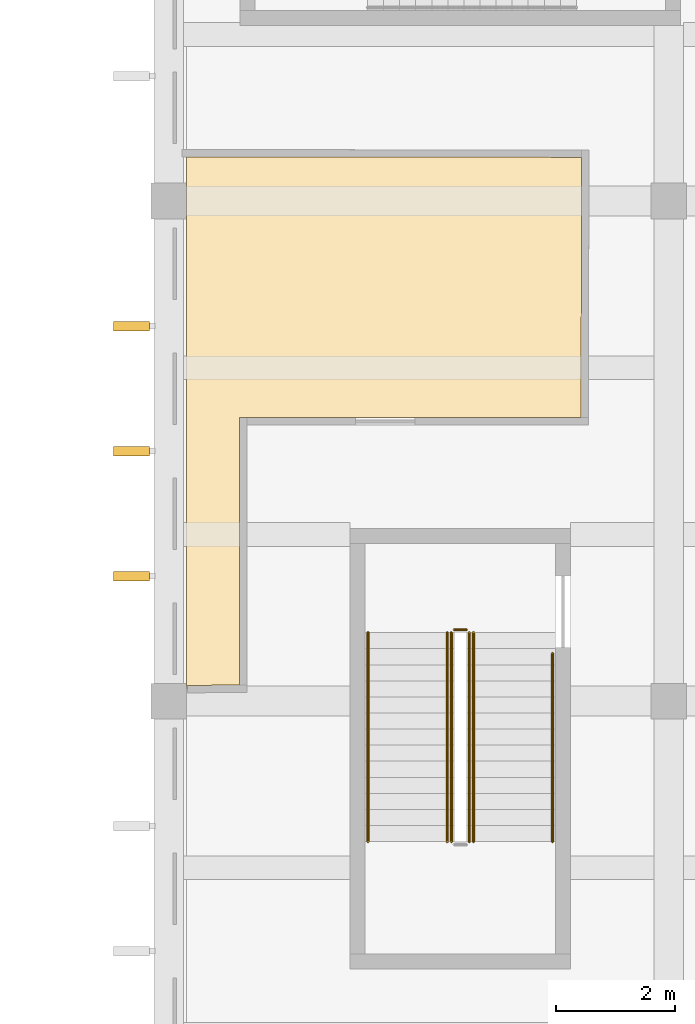
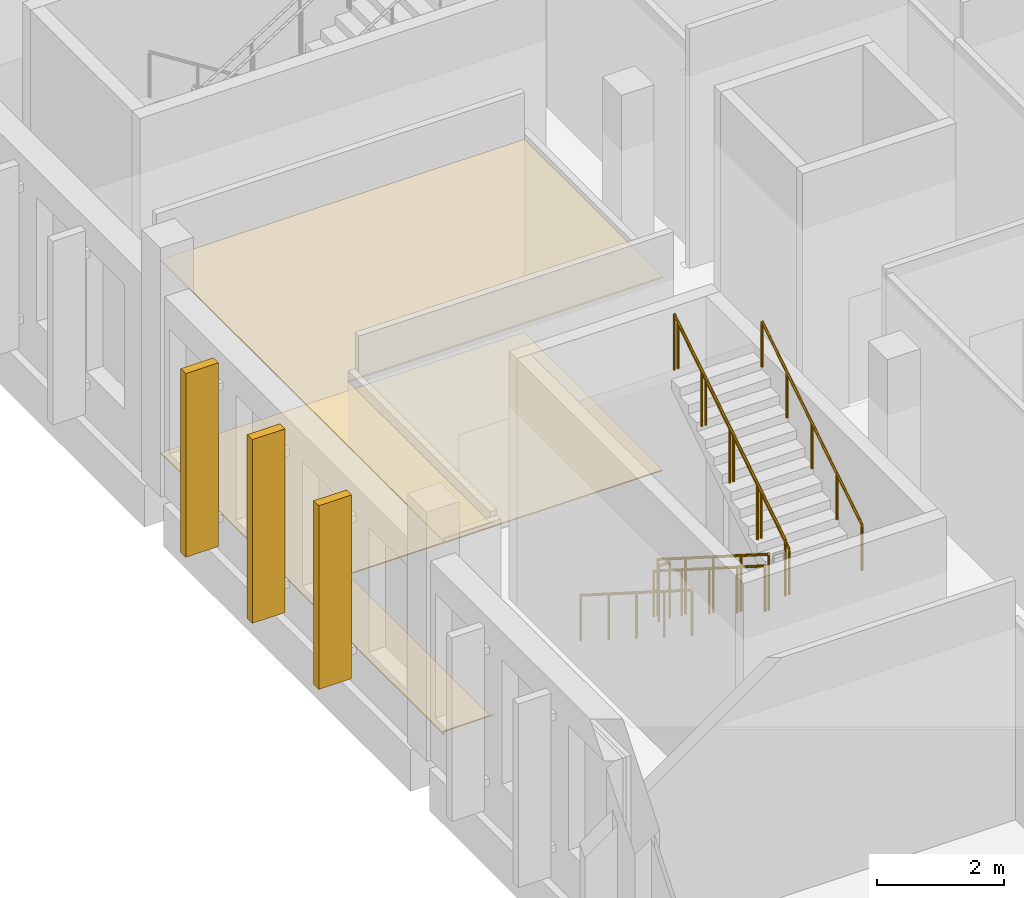
# One storey, part 95 of 119: 7 railings, 5 coverings.
"""IFC4 building model written with IfcOpenShell, lengths in metres."""

from ifc_helpers import new_model, si_unit, direction, frame, origin, origin_2d, place, context, subcontext, project, spatial, polyline, circle, outline, extrude, material, layer, layer_set, type_object, element, save


model = new_model("IFC4")

# Units and contexts
model_context = context("Model", 3, precision=1e-05, world=origin(), true_north=direction((0.0, 1.0)))
body_context = subcontext(model_context, "Body", "Model", "MODEL_VIEW")
ifc_project = project(units=[si_unit("LENGTHUNIT", "METRE"), si_unit("AREAUNIT", "SQUARE_METRE"), si_unit("VOLUMEUNIT", "CUBIC_METRE"), si_unit("PLANEANGLEUNIT", "RADIAN"), si_unit("MASSUNIT", "GRAM", prefix="KILO")], contexts=[model_context])

# Site, building, storey
site_placement = place(None, origin())
site = spatial("IfcSite", under=ifc_project, at=site_placement, CompositionType="ELEMENT")
building_placement = place(site_placement, origin())
building = spatial("IfcBuilding", under=site, at=building_placement, Name="Larchfold Concert Hall", CompositionType="ELEMENT")
storey_placement = place(building_placement, frame((0.0, 0.0, 4.800048828125)))
storey = spatial("IfcBuildingStorey", under=building, at=storey_placement, Name="L01", CompositionType="ELEMENT", Elevation=4.800048828125)

# Coverings
ifc_material_1 = material(Name="Plasterboard ceiling lining")
ifc_layer_1 = layer(ifc_material_1, 0.030029296875)
ifc_layer_set_1 = layer_set([ifc_layer_1], Name="Plasterboard ceiling lining")
covering_type_1 = type_object("IfcCoveringType", Name="Ceiling suspended plasterboard 30", PredefinedType="CEILING", material=ifc_layer_set_1)
covering_1_placement = place(storey_placement, frame((0.0, 0.0, 3.7099609375)))
element("IfcCovering", 1, at=covering_1_placement, inside=storey, type_object=covering_type_1, Name="Ceiling Conductor Suite", PredefinedType="CEILING", context=body_context, shape_type="SweptSolid", body=[
    extrude(outline(polyline([(84.919677734375, 26.062744140625), (85.849853515625, 26.071533203125), (85.78857421875, 26.071533203125), (85.78857421875, 30.5615234375), (91.529541015625, 30.5615234375), (91.533447265625, 34.935546875), (84.900146484375, 34.9375), (84.900146484375, 26.0), (84.920166015625, 26.0), (84.919677734375, 26.062744140625)])), origin(), (0.0, 0.0, 1.0), 0.030029296875),
])
ifc_material_2 = material(Name="Linoleum sheet")
ifc_layer_2 = layer(ifc_material_2, 0.02001953125)
ifc_layer_set_2 = layer_set([ifc_layer_2], Name="Linoleum sheet")
covering_type_2 = type_object("IfcCoveringType", Name="Floor finish vinyl 20", PredefinedType="FLOORING", material=ifc_layer_set_2)
covering_2_placement = place(storey_placement, origin())
element("IfcCovering", 2, at=covering_2_placement, inside=storey, type_object=covering_type_2, Name="Floor finish Conductor Suite", PredefinedType="FLOORING", context=body_context, shape_type="SweptSolid", body=[
    extrude(outline(polyline([(84.919677734375, 26.062744140625), (85.849853515625, 26.071533203125), (85.78857421875, 26.071533203125), (85.78857421875, 30.5615234375), (91.529541015625, 30.5615234375), (91.533447265625, 34.935546875), (84.900146484375, 34.9375), (84.900146484375, 26.0), (84.920166015625, 26.0), (84.919677734375, 26.062744140625)])), origin(), (0.0, 0.0, 1.0), 0.02001953125),
])
ifc_material_3 = material(Name="Glulam GL30c", Category="wood")
ifc_layer_3 = layer(ifc_material_3, 0.159912109375)
ifc_layer_set_3 = layer_set([ifc_layer_3], Name="Glulam GL30c")
covering_type_3 = type_object("IfcCoveringType", Name="Glulam fin 160x600", PredefinedType="CLADDING", material=ifc_layer_set_3)
covering_3_placement = place(storey_placement, frame((0.0, 0.0, 0.199951171875)))
element("IfcCovering", 3, at=covering_3_placement, inside=storey, type_object=covering_type_3, Name="Glulam fin FN-L01-060", PredefinedType="CLADDING", context=body_context, shape_type="SweptSolid", body=[
    extrude(outline(polyline([(84.275146484375, 27.820068359375), (84.275146484375, 27.97998046875), (83.675048828125, 27.97998046875), (83.675048828125, 27.820068359375), (84.275146484375, 27.820068359375)])), origin(), (0.0, 0.0, 1.0), 3.5400390625),
])
covering_4_placement = place(storey_placement, frame((0.0, 0.0, 0.199951171875)))
element("IfcCovering", 4, at=covering_4_placement, inside=storey, type_object=covering_type_3, Name="Glulam fin FN-L01-061", PredefinedType="CLADDING", context=body_context, shape_type="SweptSolid", body=[
    extrude(outline(polyline([(84.275146484375, 29.919921875), (84.275146484375, 30.080078125), (83.675048828125, 30.080078125), (83.675048828125, 29.919921875), (84.275146484375, 29.919921875)])), origin(), (0.0, 0.0, 1.0), 3.5400390625),
])
covering_5_placement = place(storey_placement, frame((0.0, 0.0, 0.199951171875)))
element("IfcCovering", 5, at=covering_5_placement, inside=storey, type_object=covering_type_3, Name="Glulam fin FN-L01-062", PredefinedType="CLADDING", context=body_context, shape_type="SweptSolid", body=[
    extrude(outline(polyline([(84.275146484375, 32.02001953125), (84.275146484375, 32.179931640625), (83.675048828125, 32.179931640625), (83.675048828125, 32.02001953125), (84.275146484375, 32.02001953125)])), origin(), (0.0, 0.0, 1.0), 3.5400390625),
])

# Railings
ifc_material_4 = material(Name="Stainless steel balustrade", Category="steel")
railing_type_1 = type_object("IfcRailingType", Name="Stair guard 1100", PredefinedType="GUARDRAIL", material=ifc_material_4)
railing_1_placement = place(storey_placement, frame((89.349853515625, 26.949951171875, 0.17138671875)))
element("IfcRailing", 6, at=railing_1_placement, inside=storey, type_object=railing_type_1, Name="Guard GR0055", PredefinedType="GUARDRAIL", context=body_context, shape_type="SweptSolid", body=[
    extrude(circle(Radius=0.02392578125, at=origin_2d()), frame((0.0, 0.0, 1.076171875), z_axis=(0.0, -0.844219563411, 0.53599750816), x_axis=(1.0, 0.0, 0.0)), (0.0, 0.0, 1.0), 4.15771484375),
    extrude(circle(Radius=0.02099609375, at=origin_2d()), origin(), (0.0, 0.0, 1.0), 1.052001953125),
    extrude(circle(Radius=0.02099609375, at=origin_2d()), frame((0.0, -0.87744140625, 0.55712890625)), (0.0, 0.0, 1.0), 1.052001953125),
    extrude(circle(Radius=0.02099609375, at=origin_2d()), frame((0.0, -1.7548828125, 1.1142578125)), (0.0, 0.0, 1.0), 1.052001953125),
    extrude(circle(Radius=0.02099609375, at=origin_2d()), frame((0.0, -2.632568359375, 1.67138671875)), (0.0, 0.0, 1.0), 1.052001953125),
    extrude(circle(Radius=0.02099609375, at=origin_2d()), frame((0.0, -3.510009765625, 2.228515625)), (0.0, 0.0, 1.0), 1.052001953125),
])
railing_2_placement = place(storey_placement, frame((89.64990234375, 23.43994140625, 2.5712890625)))
element("IfcRailing", 7, at=railing_2_placement, inside=storey, type_object=railing_type_1, Name="Guard GR0057", PredefinedType="GUARDRAIL", context=body_context, shape_type="SweptSolid", body=[
    extrude(circle(Radius=0.02392578125, at=origin_2d()), frame((0.0, 0.0, 1.076171875), z_axis=(0.0, 0.844192992368, 0.536039356425), x_axis=(-1.0, 0.0, 0.0)), (0.0, 0.0, 1.0), 4.15771484375),
    extrude(circle(Radius=0.02099609375, at=origin_2d()), origin(), (0.0, 0.0, 1.0), 1.052001953125),
    extrude(circle(Radius=0.02099609375, at=origin_2d()), frame((0.0, 0.87744140625, 0.55712890625)), (0.0, 0.0, 1.0), 1.052001953125),
    extrude(circle(Radius=0.02099609375, at=origin_2d()), frame((0.0, 1.7548828125, 1.1142578125)), (0.0, 0.0, 1.0), 1.052001953125),
    extrude(circle(Radius=0.02099609375, at=origin_2d()), frame((0.0, 2.632568359375, 1.671630859375)), (0.0, 0.0, 1.0), 1.052001953125),
    extrude(circle(Radius=0.02099609375, at=origin_2d()), frame((0.0, 3.510009765625, 2.228759765625)), (0.0, 0.0, 1.0), 1.052001953125),
])
railing_3_placement = place(storey_placement, frame((89.39990234375, 27.0, 0.0)))
element("IfcRailing", 8, at=railing_3_placement, inside=storey, type_object=railing_type_1, Name="Guard GR0058", PredefinedType="GUARDRAIL", context=body_context, shape_type="SweptSolid", body=[
    extrude(circle(Radius=0.02392578125, at=origin_2d()), frame((0.0, 0.0, 1.076171875), z_axis=(1.0, 0.0, 0.0), x_axis=(0.0, 1.0, 0.0)), (0.0, 0.0, 1.0), 0.199951171875),
    extrude(circle(Radius=0.02099609375, at=origin_2d()), origin(), (0.0, 0.0, 1.0), 1.052001953125),
    extrude(circle(Radius=0.02099609375, at=origin_2d()), frame((0.199951171875, 0.0, 0.0)), (0.0, 0.0, 1.0), 1.052001953125),
])
ifc_material_5 = material(Name="Stainless steel handrail", Category="steel")
railing_type_2 = type_object("IfcRailingType", Name="Stair handrail 900", PredefinedType="HANDRAIL", material=ifc_material_5)
railing_4_placement = place(storey_placement, frame((87.949951171875, 26.949951171875, 0.17138671875)))
element("IfcRailing", 9, at=railing_4_placement, inside=storey, type_object=railing_type_2, Name="Handrail HR0053", PredefinedType="HANDRAIL", context=body_context, shape_type="SweptSolid", body=[
    extrude(circle(Radius=0.02392578125, at=origin_2d()), frame((0.0, 0.0, 0.8759765625), z_axis=(0.0, -0.844219563411, 0.53599750816), x_axis=(1.0, 0.0, 0.0)), (0.0, 0.0, 1.0), 4.15771484375),
    extrude(circle(Radius=0.02099609375, at=origin_2d()), origin(), (0.0, 0.0, 1.0), 0.851806640625),
    extrude(circle(Radius=0.02099609375, at=origin_2d()), frame((0.0, -0.87744140625, 0.55712890625)), (0.0, 0.0, 1.0), 0.851806640625),
    extrude(circle(Radius=0.02099609375, at=origin_2d()), frame((0.0, -1.7548828125, 1.1142578125)), (0.0, 0.0, 1.0), 0.851806640625),
    extrude(circle(Radius=0.02099609375, at=origin_2d()), frame((0.0, -2.632568359375, 1.67138671875)), (0.0, 0.0, 1.0), 0.851806640625),
    extrude(circle(Radius=0.02099609375, at=origin_2d()), frame((0.0, -3.510009765625, 2.228515625)), (0.0, 0.0, 1.0), 0.851806640625),
])
railing_5_placement = place(storey_placement, frame((91.0498046875, 23.43994140625, 2.5712890625)))
element("IfcRailing", 10, at=railing_5_placement, inside=storey, type_object=railing_type_2, Name="Handrail HR0054", PredefinedType="HANDRAIL", context=body_context, shape_type="SweptSolid", body=[
    extrude(circle(Radius=0.02392578125, at=origin_2d()), frame((0.0, 0.0, 0.8759765625), z_axis=(0.0, 0.844224994989, 0.535988953092), x_axis=(-1.0, 0.0, 0.0)), (0.0, 0.0, 1.0), 3.7431640625),
    extrude(circle(Radius=0.02099609375, at=origin_2d()), origin(), (0.0, 0.0, 1.0), 0.851806640625),
    extrude(circle(Radius=0.02099609375, at=origin_2d()), frame((0.0, 0.7900390625, 0.50146484375)), (0.0, 0.0, 1.0), 0.851806640625),
    extrude(circle(Radius=0.02099609375, at=origin_2d()), frame((0.0, 1.580078125, 1.003173828125)), (0.0, 0.0, 1.0), 0.851806640625),
    extrude(circle(Radius=0.02099609375, at=origin_2d()), frame((0.0, 2.3701171875, 1.5048828125)), (0.0, 0.0, 1.0), 0.851806640625),
    extrude(circle(Radius=0.02099609375, at=origin_2d()), frame((0.0, 3.16015625, 2.00634765625)), (0.0, 0.0, 1.0), 0.851806640625),
])
railing_6_placement = place(storey_placement, frame((89.27978515625, 26.949951171875, 0.17138671875)))
element("IfcRailing", 11, at=railing_6_placement, inside=storey, type_object=railing_type_2, Name="Handrail HR0055", PredefinedType="HANDRAIL", context=body_context, shape_type="SweptSolid", body=[
    extrude(circle(Radius=0.02392578125, at=origin_2d()), frame((0.0, 0.0, 0.8759765625), z_axis=(0.0, -0.844219563411, 0.53599750816), x_axis=(1.0, 0.0, 0.0)), (0.0, 0.0, 1.0), 4.15771484375),
    extrude(circle(Radius=0.02099609375, at=origin_2d()), origin(), (0.0, 0.0, 1.0), 0.851806640625),
    extrude(circle(Radius=0.02099609375, at=origin_2d()), frame((0.0, -0.87744140625, 0.55712890625)), (0.0, 0.0, 1.0), 0.851806640625),
    extrude(circle(Radius=0.02099609375, at=origin_2d()), frame((0.0, -1.7548828125, 1.1142578125)), (0.0, 0.0, 1.0), 0.851806640625),
    extrude(circle(Radius=0.02099609375, at=origin_2d()), frame((0.0, -2.632568359375, 1.67138671875)), (0.0, 0.0, 1.0), 0.851806640625),
    extrude(circle(Radius=0.02099609375, at=origin_2d()), frame((0.0, -3.510009765625, 2.228515625)), (0.0, 0.0, 1.0), 0.851806640625),
])
railing_7_placement = place(storey_placement, frame((89.719970703125, 23.43994140625, 2.5712890625)))
element("IfcRailing", 12, at=railing_7_placement, inside=storey, type_object=railing_type_2, Name="Handrail HR0056", PredefinedType="HANDRAIL", context=body_context, shape_type="SweptSolid", body=[
    extrude(circle(Radius=0.02392578125, at=origin_2d()), frame((0.0, 0.0, 0.8759765625), z_axis=(0.0, 0.844192992368, 0.536039356425), x_axis=(-1.0, 0.0, 0.0)), (0.0, 0.0, 1.0), 4.15771484375),
    extrude(circle(Radius=0.02099609375, at=origin_2d()), origin(), (0.0, 0.0, 1.0), 0.851806640625),
    extrude(circle(Radius=0.02099609375, at=origin_2d()), frame((0.0, 0.87744140625, 0.55712890625)), (0.0, 0.0, 1.0), 0.851806640625),
    extrude(circle(Radius=0.02099609375, at=origin_2d()), frame((0.0, 1.7548828125, 1.1142578125)), (0.0, 0.0, 1.0), 0.851806640625),
    extrude(circle(Radius=0.02099609375, at=origin_2d()), frame((0.0, 2.632568359375, 1.671630859375)), (0.0, 0.0, 1.0), 0.851806640625),
    extrude(circle(Radius=0.02099609375, at=origin_2d()), frame((0.0, 3.510009765625, 2.228759765625)), (0.0, 0.0, 1.0), 0.851806640625),
])

save(model, "model.ifc")
